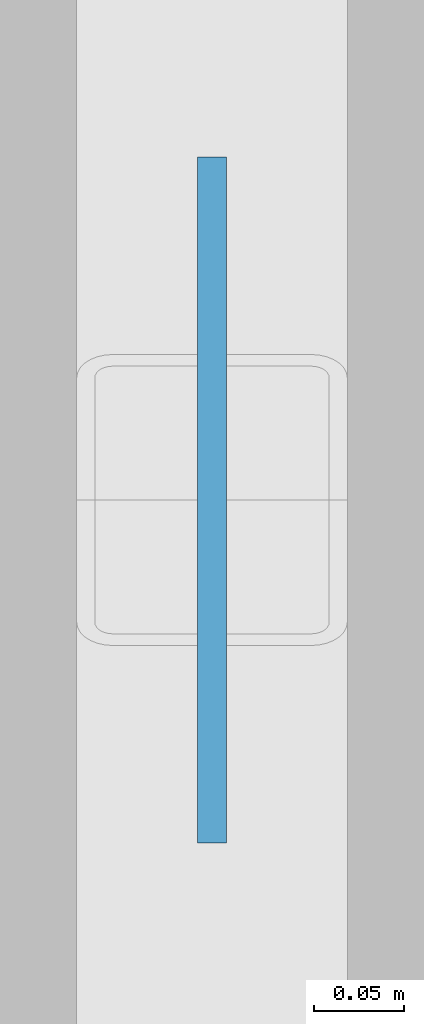
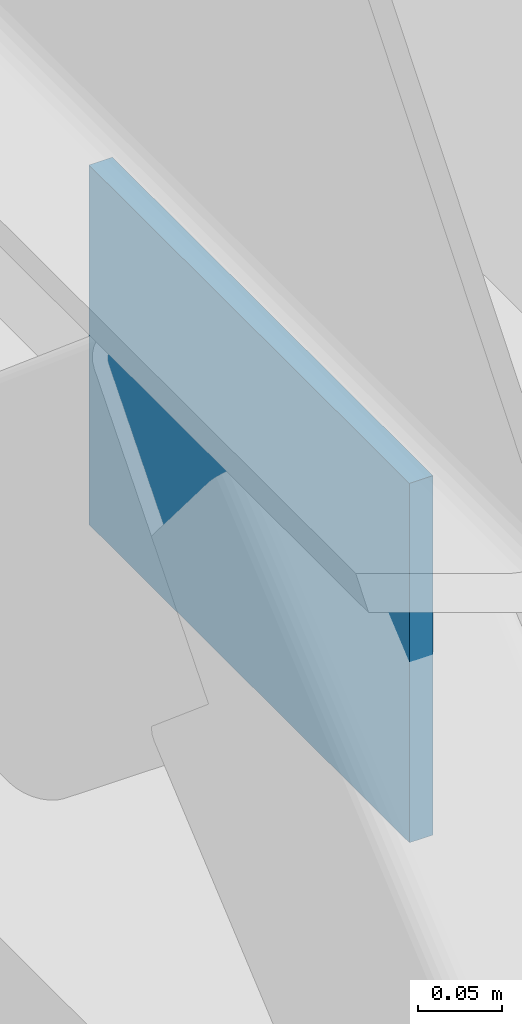
# One storey, part 32 of 51: 1 plate.
"""IFC4 building model written with IfcOpenShell, lengths in metres."""

from ifc_helpers import new_model, si_unit, direction, frame, origin, origin_2d, place, context, subcontext, project, spatial, rectangle, extrude, material, layer, layer_set, type_object, element, save


model = new_model("IFC4")

# Units and contexts
model_context = context("Model", 3, precision=1e-05, world=origin(), true_north=direction((0.0, 1.0)))
body_context = subcontext(model_context, "Body", "Model", "MODEL_VIEW")
ifc_project = project(units=[si_unit("LENGTHUNIT", "METRE"), si_unit("AREAUNIT", "SQUARE_METRE"), si_unit("VOLUMEUNIT", "CUBIC_METRE"), si_unit("PLANEANGLEUNIT", "RADIAN"), si_unit("MASSUNIT", "GRAM", prefix="KILO")], contexts=[model_context])

# Site, building, storey
site_placement = place(None, origin())
site = spatial("IfcSite", under=ifc_project, at=site_placement, CompositionType="ELEMENT")
building_placement = place(site_placement, origin())
building = spatial("IfcBuilding", under=site, at=building_placement, Name="Qasida Concert Hall", CompositionType="ELEMENT")
storey_placement = place(building_placement, frame((0.0, 0.0, 21.0)))
storey = spatial("IfcBuildingStorey", under=building, at=storey_placement, Name="L05", CompositionType="ELEMENT", Elevation=21.0)

# Plate
ifc_material = material(Name="Steel S355J2", Category="steel")
ifc_layer = layer(ifc_material, 0.01611328125, Name="Steel S355J2")
ifc_layer_set = layer_set([ifc_layer], Name="Steel S355J2")
plate_type = type_object("IfcPlateType", Name="PLT-PL-EC3", PredefinedType="SHEET", material=ifc_layer_set)
plate_placement = place(storey_placement, frame((0.0, 101.25, 3.0400390625), z_axis=(0.0, 0.0, 1.0), x_axis=(0.0, 1.0, 0.0)))
element("IfcPlate", 1, at=plate_placement, inside=storey, type_object=plate_type, Name="Chevron apex plate CBF-0104", PredefinedType="SHEET", context=body_context, shape_type="SweptSolid", body=[
    extrude(rectangle(XDim=0.3798828125, YDim=0.01611328125, at=origin_2d()), origin(), (0.0, 0.0, 1.0), 0.260009765625),
])

save(model, "model.ifc")
